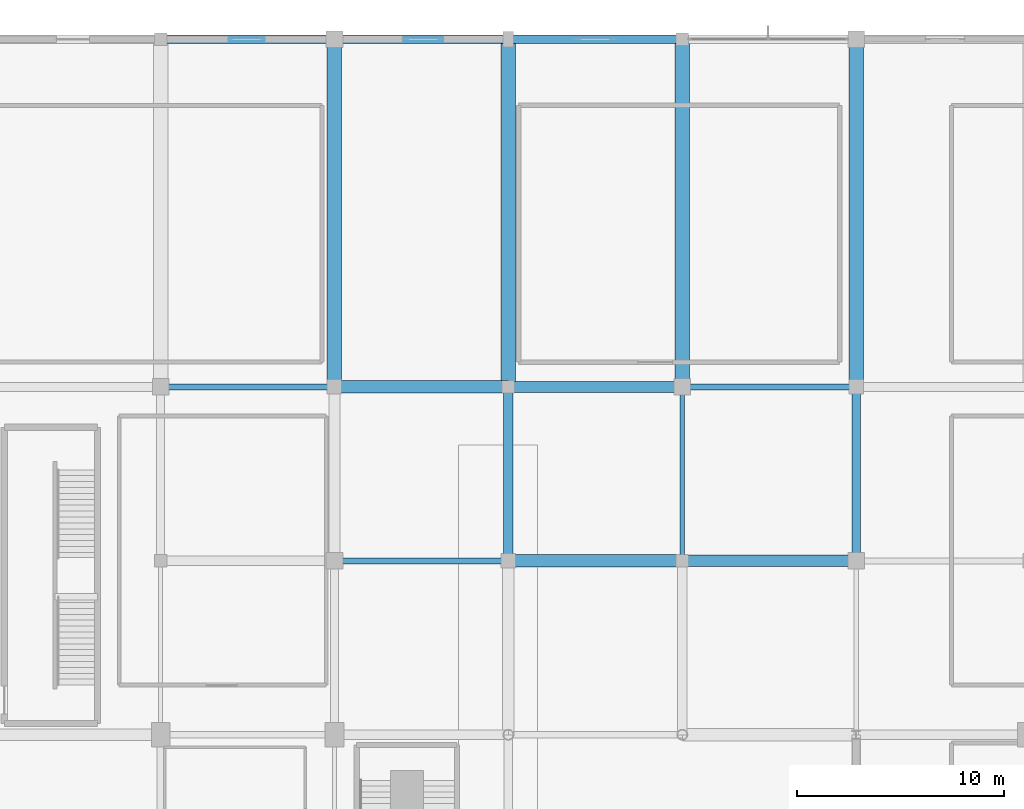
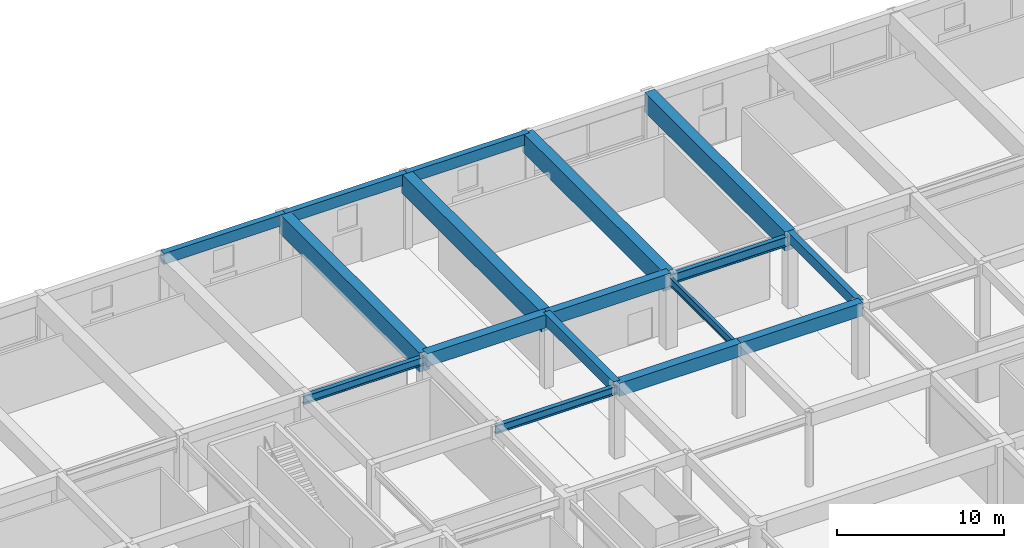
# One storey, part 24 of 62: 17 beams.
"""IFC4 building model written with IfcOpenShell, lengths in metres."""

from ifc_helpers import new_model, si_unit, direction, frame, origin, origin_2d, place, context, subcontext, project, spatial, rectangle, i_section, extrude, material, material_profile, profile_set, type_object, element, save


model = new_model("IFC4")

# Units and contexts
model_context = context("Model", 3, precision=1e-05, world=origin(), true_north=direction((0.0, 1.0)))
body_context = subcontext(model_context, "Body", "Model", "MODEL_VIEW")
ifc_project = project(units=[si_unit("LENGTHUNIT", "METRE"), si_unit("AREAUNIT", "SQUARE_METRE"), si_unit("VOLUMEUNIT", "CUBIC_METRE"), si_unit("PLANEANGLEUNIT", "RADIAN"), si_unit("MASSUNIT", "GRAM", prefix="KILO")], contexts=[model_context])

# Site, building, storey
site_placement = place(None, origin())
site = spatial("IfcSite", under=ifc_project, at=site_placement, CompositionType="ELEMENT")
building_placement = place(site_placement, origin())
building = spatial("IfcBuilding", under=site, at=building_placement, Name="Xuanlan Plaza Opera House", CompositionType="ELEMENT")
storey_placement = place(building_placement, origin())
storey = spatial("IfcBuildingStorey", under=building, at=storey_placement, Name="L00", CompositionType="ELEMENT", Elevation=0.0)

# Beams
ifc_material_1 = material(Name="Concrete C50", Category="concrete")
ifc_material_profile_1 = material_profile(ifc_material_1, rectangle(XDim=0.60009765625, YDim=0.949951171875, at=origin_2d()), Name="RC-BM 600x950")
ifc_profile_set_1 = profile_set([ifc_material_profile_1], Name="Concrete C50")
beam_type_1 = type_object("IfcBeamType", Name="STR-BM-B-01", PredefinedType="BEAM", material=ifc_profile_set_1)
beam_1_placement = place(storey_placement, frame((109.199951171875, 92.39990234375, 4.925048828125), z_axis=(1.0, 0.0, 0.0), x_axis=(0.0, 1.0, 0.0)))
element("IfcBeam", 1, at=beam_1_placement, inside=storey, type_object=beam_type_1, Name="Grid Beam X L00 14-15/L", PredefinedType="BEAM", context=body_context, shape_type="SweptSolid", body=[
    extrude(rectangle(XDim=0.60009765625, YDim=0.949951171875, at=origin_2d()), origin(), (0.0, 0.0, 1.0), 8.400146484375),
])
beam_2_placement = place(storey_placement, frame((100.800048828125, 100.800048828125, 4.925048828125), z_axis=(1.0, 0.0, 0.0), x_axis=(0.0, 1.0, 0.0)))
element("IfcBeam", 2, at=beam_2_placement, inside=storey, type_object=beam_type_1, Name="Grid Beam X L00 13-14/M", PredefinedType="BEAM", context=body_context, shape_type="SweptSolid", body=[
    extrude(rectangle(XDim=0.60009765625, YDim=0.949951171875, at=origin_2d()), origin(), (0.0, 0.0, 1.0), 8.39990234375),
])
ifc_material_profile_2 = material_profile(ifc_material_1, rectangle(XDim=0.550048828125, YDim=0.949951171875, at=origin_2d()), Name="RC-BM 550x950")
ifc_profile_set_2 = profile_set([ifc_material_profile_2], Name="Concrete C50")
beam_type_2 = type_object("IfcBeamType", Name="STR-BM-B-02", PredefinedType="BEAM", material=ifc_profile_set_2)
beam_3_placement = place(storey_placement, frame((117.60009765625, 92.39990234375, 4.925048828125), z_axis=(1.0, 0.0, 0.0), x_axis=(0.0, 1.0, 0.0)))
element("IfcBeam", 3, at=beam_3_placement, inside=storey, type_object=beam_type_2, Name="Grid Beam X L00 15-16/L", PredefinedType="BEAM", context=body_context, shape_type="SweptSolid", body=[
    extrude(rectangle(XDim=0.550048828125, YDim=0.949951171875, at=origin_2d()), origin(), (0.0, 0.0, 1.0), 8.39990234375),
])
beam_4_placement = place(storey_placement, frame((109.199951171875, 100.800048828125, 4.925048828125), z_axis=(1.0, 0.0, 0.0), x_axis=(0.0, 1.0, 0.0)))
element("IfcBeam", 4, at=beam_4_placement, inside=storey, type_object=beam_type_2, Name="Grid Beam X L00 14-15/M", PredefinedType="BEAM", context=body_context, shape_type="SweptSolid", body=[
    extrude(rectangle(XDim=0.550048828125, YDim=0.949951171875, at=origin_2d()), origin(), (0.0, 0.0, 1.0), 8.400146484375),
])
ifc_material_2 = material(Name="Concrete C40", Category="concrete")
ifc_material_profile_3 = material_profile(ifc_material_2, rectangle(XDim=0.449951171875, YDim=0.85009765625, at=origin_2d()), Name="RC-BM 450x850")
ifc_profile_set_3 = profile_set([ifc_material_profile_3], Name="Concrete C40")
beam_type_3 = type_object("IfcBeamType", Name="STR-BM-B-04", PredefinedType="BEAM", material=ifc_profile_set_3)
beam_5_placement = place(storey_placement, frame((109.199951171875, 92.39990234375, 4.97509765625), z_axis=(0.0, 1.0, 0.0), x_axis=(-1.0, 0.0, 0.0)))
element("IfcBeam", 5, at=beam_5_placement, inside=storey, type_object=beam_type_3, Name="Grid Beam Y L00 14/L-M", PredefinedType="BEAM", context=body_context, shape_type="SweptSolid", body=[
    extrude(rectangle(XDim=0.449951171875, YDim=0.85009765625, at=origin_2d()), origin(), (0.0, 0.0, 1.0), 8.400146484375),
])
ifc_material_profile_4 = material_profile(ifc_material_2, rectangle(XDim=0.39990234375, YDim=0.75, at=origin_2d()), Name="RC-BM 400x750")
ifc_profile_set_4 = profile_set([ifc_material_profile_4], Name="Concrete C40")
beam_type_4 = type_object("IfcBeamType", Name="STR-BM-B-06", PredefinedType="BEAM", material=ifc_profile_set_4)
beam_6_placement = place(storey_placement, frame((126.0, 92.39990234375, 5.02490234375), z_axis=(0.0, 1.0, 0.0), x_axis=(-1.0, 0.0, 0.0)))
element("IfcBeam", 6, at=beam_6_placement, inside=storey, type_object=beam_type_4, Name="Grid Beam Y L00 16/L-M", PredefinedType="BEAM", context=body_context, shape_type="SweptSolid", body=[
    extrude(rectangle(XDim=0.39990234375, YDim=0.75, at=origin_2d()), origin(), (0.0, 0.0, 1.0), 8.400146484375),
])
ifc_material_profile_5 = material_profile(ifc_material_1, rectangle(XDim=0.699951171875, YDim=1.39990234375, at=origin_2d()), Name="RC-LG 700x1400")
ifc_profile_set_5 = profile_set([ifc_material_profile_5], Name="Concrete C50")
beam_type_5 = type_object("IfcBeamType", Name="STR-BM-LG-01", PredefinedType="BEAM", material=ifc_profile_set_5)
for number, where, z_axis, x_axis, name in (
    (7, (100.800048828125, 100.800048828125, 4.699951171875), (0.0, 1.0, 0.0), (-1.0, 0.0, 0.0), "Grid Beam Y L00 13/M-O"),
    (8, (109.199951171875, 100.800048828125, 4.699951171875), (0.0, 1.0, 0.0), (-1.0, 0.0, 0.0), "Grid Beam Y L00 14/M-O"),
    (9, (117.60009765625, 100.800048828125, 4.699951171875), (0.0, 1.0, 0.0), (-1.0, 0.0, 0.0), "Grid Beam Y L00 15/M-O"),
    (10, (126.0, 100.800048828125, 4.699951171875), (0.0, 1.0, 0.0), (-1.0, 0.0, 0.0), "Grid Beam Y L00 16/M-O"),
):
    element("IfcBeam", number, at=place(storey_placement, frame(where, z_axis=z_axis, x_axis=x_axis)), inside=storey, type_object=beam_type_5, Name=name, PredefinedType="BEAM", context=body_context, shape_type="SweptSolid", body=[
        extrude(rectangle(XDim=0.699951171875, YDim=1.39990234375, at=origin_2d()), origin(), (0.0, 0.0, 1.0), 16.800048828125),
    ])
ifc_material_3 = material(Name="Steel Q355B", Category="steel")
ifc_material_profile_6 = material_profile(ifc_material_3, i_section(OverallWidth=0.300048828125, OverallDepth=0.699951171875, WebThickness=0.012939453125, FlangeThickness=0.02392578125, FilletRadius=0.02392578125, at=origin_2d()), Name="HN 700x300x13x24")
ifc_profile_set_6 = profile_set([ifc_material_profile_6], Name="Steel Q355B")
beam_type_6 = type_object("IfcBeamType", Name="STR-BM-SB-03", PredefinedType="BEAM", material=ifc_profile_set_6)
beam_7_placement = place(storey_placement, frame((117.60009765625, 100.800048828125, 4.784912109375), z_axis=(1.0, 0.0, 0.0), x_axis=(0.0, 1.0, 0.0)))
element("IfcBeam", 11, at=beam_7_placement, inside=storey, type_object=beam_type_6, Name="Grid Beam X L00 15-16/M", PredefinedType="BEAM", context=body_context, shape_type="SweptSolid", body=[
    extrude(i_section(OverallWidth=0.300048828125, OverallDepth=0.699951171875, WebThickness=0.012939453125, FlangeThickness=0.02392578125, FilletRadius=0.02392578125, at=origin_2d()), origin(), (0.0, 0.0, 1.0), 8.39990234375),
])
ifc_material_profile_7 = material_profile(ifc_material_3, i_section(OverallWidth=0.199951171875, OverallDepth=0.60009765625, WebThickness=0.010986328125, FlangeThickness=0.01708984375, FilletRadius=0.02197265625, at=origin_2d()), Name="HN 600x200x11x17")
ifc_profile_set_7 = profile_set([ifc_material_profile_7], Name="Steel Q355B")
beam_type_7 = type_object("IfcBeamType", Name="STR-BM-SB-04", PredefinedType="BEAM", material=ifc_profile_set_7)
beam_8_placement = place(storey_placement, frame((117.60009765625, 92.39990234375, 4.8349609375), z_axis=(0.0, 1.0, 0.0), x_axis=(-1.0, 0.0, 0.0)))
element("IfcBeam", 12, at=beam_8_placement, inside=storey, type_object=beam_type_7, Name="Grid Beam Y L00 15/L-M", PredefinedType="BEAM", context=body_context, shape_type="SweptSolid", body=[
    extrude(i_section(OverallWidth=0.199951171875, OverallDepth=0.60009765625, WebThickness=0.010986328125, FlangeThickness=0.01708984375, FilletRadius=0.02197265625, at=origin_2d()), origin(), (0.0, 0.0, 1.0), 8.400146484375),
])
ifc_material_profile_8 = material_profile(ifc_material_3, i_section(OverallWidth=0.300048828125, OverallDepth=0.587890625, WebThickness=0.011962890625, FlangeThickness=0.02001953125, FilletRadius=0.02392578125, at=origin_2d()), Name="HM 588x300x12x20")
ifc_profile_set_8 = profile_set([ifc_material_profile_8], Name="Steel Q355B")
beam_type_8 = type_object("IfcBeamType", Name="STR-BM-SB-06", PredefinedType="BEAM", material=ifc_profile_set_8)
beam_9_placement = place(storey_placement, frame((100.800048828125, 92.39990234375, 4.841064453125), z_axis=(1.0, 0.0, 0.0), x_axis=(0.0, 1.0, 0.0)))
element("IfcBeam", 13, at=beam_9_placement, inside=storey, type_object=beam_type_8, Name="Grid Beam X L00 13-14/L", PredefinedType="BEAM", context=body_context, shape_type="SweptSolid", body=[
    extrude(i_section(OverallWidth=0.300048828125, OverallDepth=0.587890625, WebThickness=0.011962890625, FlangeThickness=0.02001953125, FilletRadius=0.02392578125, at=origin_2d()), origin(), (0.0, 0.0, 1.0), 8.39990234375),
])
beam_10_placement = place(storey_placement, frame((92.39990234375, 100.800048828125, 4.841064453125), z_axis=(1.0, 0.0, 0.0), x_axis=(0.0, 1.0, 0.0)))
element("IfcBeam", 14, at=beam_10_placement, inside=storey, type_object=beam_type_8, Name="Grid Beam X L00 12-13/M", PredefinedType="BEAM", context=body_context, shape_type="SweptSolid", body=[
    extrude(i_section(OverallWidth=0.300048828125, OverallDepth=0.587890625, WebThickness=0.011962890625, FlangeThickness=0.02001953125, FilletRadius=0.02392578125, at=origin_2d()), origin(), (0.0, 0.0, 1.0), 8.400146484375),
])
ifc_material_profile_9 = material_profile(ifc_material_2, rectangle(XDim=0.39990234375, YDim=0.800048828125, at=origin_2d()), Name="RC-SPD 400x800")
ifc_profile_set_9 = profile_set([ifc_material_profile_9], Name="Concrete C40")
beam_type_9 = type_object("IfcBeamType", Name="STR-BM-SP-01", PredefinedType="SPANDREL", material=ifc_profile_set_9)
beam_11_placement = place(storey_placement, frame((92.39990234375, 117.60009765625, 5.0), z_axis=(1.0, 0.0, 0.0), x_axis=(0.0, 1.0, 0.0)))
element("IfcBeam", 15, at=beam_11_placement, inside=storey, type_object=beam_type_9, Name="Grid Beam X L00 12-13/O", PredefinedType="SPANDREL", context=body_context, shape_type="SweptSolid", body=[
    extrude(rectangle(XDim=0.39990234375, YDim=0.800048828125, at=origin_2d()), origin(), (0.0, 0.0, 1.0), 8.400146484375),
])
beam_12_placement = place(storey_placement, frame((100.800048828125, 117.60009765625, 5.0), z_axis=(1.0, 0.0, 0.0), x_axis=(0.0, 1.0, 0.0)))
element("IfcBeam", 16, at=beam_12_placement, inside=storey, type_object=beam_type_9, Name="Grid Beam X L00 13-14/O", PredefinedType="SPANDREL", context=body_context, shape_type="SweptSolid", body=[
    extrude(rectangle(XDim=0.39990234375, YDim=0.800048828125, at=origin_2d()), origin(), (0.0, 0.0, 1.0), 8.39990234375),
])
beam_13_placement = place(storey_placement, frame((109.199951171875, 117.60009765625, 5.0), z_axis=(1.0, 0.0, 0.0), x_axis=(0.0, 1.0, 0.0)))
element("IfcBeam", 17, at=beam_13_placement, inside=storey, type_object=beam_type_9, Name="Grid Beam X L00 14-15/O", PredefinedType="SPANDREL", context=body_context, shape_type="SweptSolid", body=[
    extrude(rectangle(XDim=0.39990234375, YDim=0.800048828125, at=origin_2d()), origin(), (0.0, 0.0, 1.0), 8.400146484375),
])

save(model, "model.ifc")
